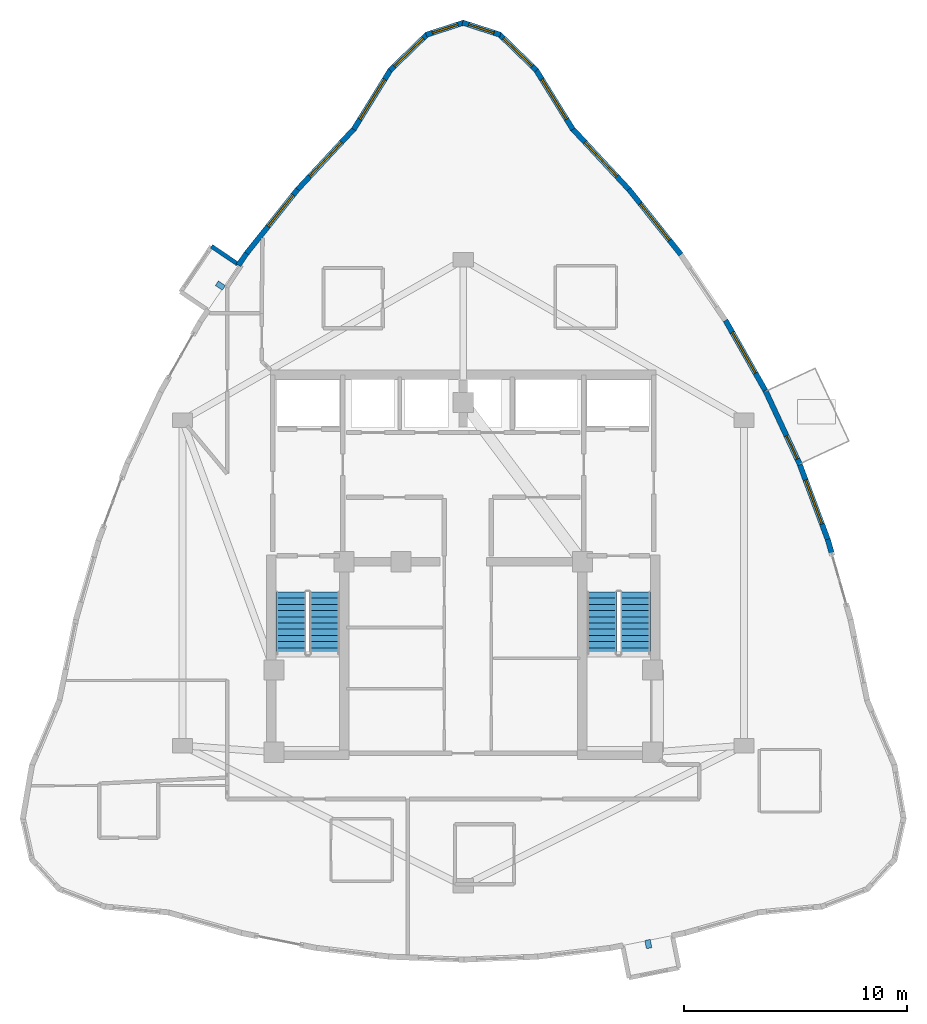
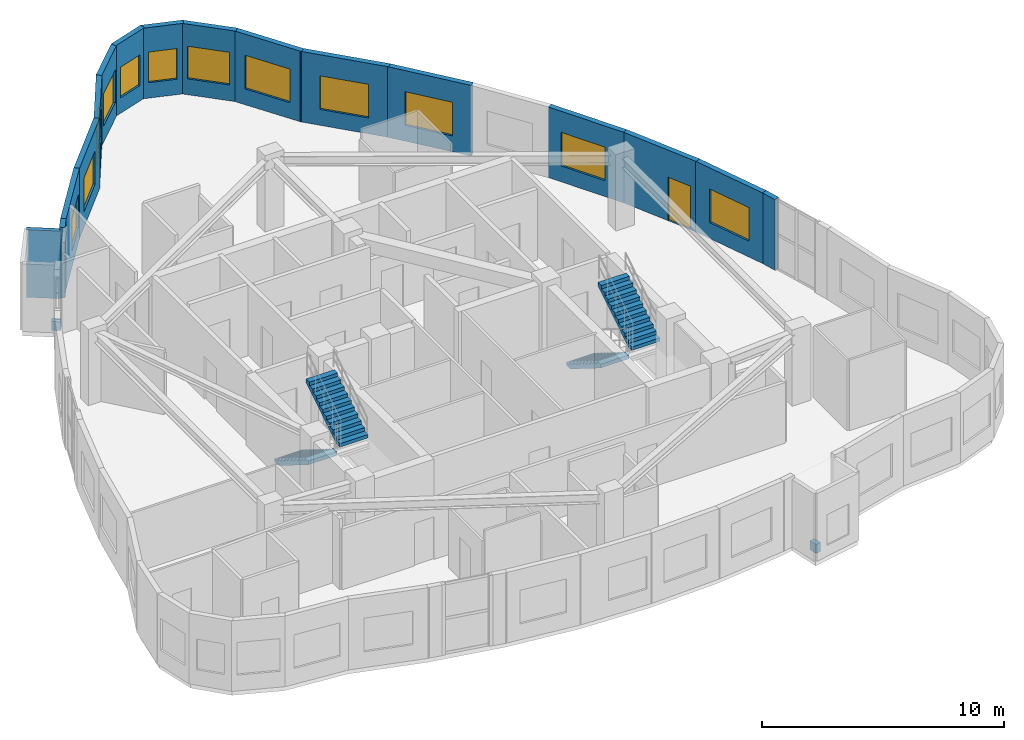
# One storey, part 15 of 16: 16 walls, 12 windows, 4 stair flights, 2 discrete accessories, 1 door, 13 openings, 2 elements without a shape of their own.
"""IFC4 building model written with IfcOpenShell, lengths in metres."""

from ifc_helpers import new_model, si_unit, direction, frame, frame_2d, origin, origin_2d, place, context, subcontext, project, spatial, polyline, rectangle, outline, extrude, material, layer, layer_set, type_object, element, fill, aggregate, save


model = new_model("IFC4")

# Units and contexts
model_context = context("Model", 3, precision=1e-05, world=origin(), true_north=direction((0.0, 1.0)))
body_context = subcontext(model_context, "Body", "Model", "MODEL_VIEW")
ifc_project = project(units=[si_unit("LENGTHUNIT", "METRE"), si_unit("AREAUNIT", "SQUARE_METRE"), si_unit("VOLUMEUNIT", "CUBIC_METRE"), si_unit("PLANEANGLEUNIT", "RADIAN"), si_unit("MASSUNIT", "GRAM", prefix="KILO")], contexts=[model_context])

# Site, building, storey
site_placement = place(None, origin())
site = spatial("IfcSite", under=ifc_project, at=site_placement, CompositionType="ELEMENT")
building_placement = place(site_placement, origin())
building = spatial("IfcBuilding", under=site, at=building_placement, Name="Miruveldt Soraemaru", CompositionType="ELEMENT")
storey_placement = place(building_placement, frame((0.0, 0.0, 271.25)))
storey = spatial("IfcBuildingStorey", under=building, at=storey_placement, Name="L74", CompositionType="ELEMENT", Elevation=271.25)

# Wall
ifc_material_1 = material(Name="White powder-coated aluminium EN AW-6060 T6", Category="aluminium")
ifc_layer_1 = layer(ifc_material_1, 0.18994140625, Name="White powder-coated aluminium EN AW-6060 T6", Category="aluminium")
ifc_layer_set_1 = layer_set([ifc_layer_1], Name="White powder-coated aluminium EN AW-6060 T6")
wall_type_1 = type_object("IfcWallType", Name="WALL-BAY-ALU190", PredefinedType="SOLIDWALL", material=ifc_layer_set_1)
wall_1_placement = place(storey_placement, frame((33.87841796875, 57.41064453125, 0.0), z_axis=(0.0, 0.0, 1.0), x_axis=(-0.827862228344, 0.560931485016, 0.0)))
element("IfcWall", 1, at=wall_1_placement, inside=storey, type_object=wall_type_1, Name="L74 Bay Window Side Cheek 1L", PredefinedType="SOLIDWALL", context=body_context, shape_type="SweptSolid", body=[
    extrude(rectangle(XDim=1.425048828125, YDim=0.18994140625, at=frame_2d((0.71240234375, 0.0))), origin(), (0.0, 0.0, 1.0), 3.4150390625),
])

# Wall, opening, window
ifc_material_2 = material(Name="Precast concrete C45/55 (45 MPa)", Category="concrete")
ifc_layer_2 = layer(ifc_material_2, 0.239990234375, Name="Precast concrete C45/55 (45 MPa)", Category="concrete")
ifc_layer_set_2 = layer_set([ifc_layer_2], Name="Precast concrete C45/55 (45 MPa)")
wall_type_2 = type_object("IfcWallType", Name="WALL-EXT-PC240", PredefinedType="SOLIDWALL", material=ifc_layer_set_2)
wall_2_placement = place(storey_placement, frame((48.918212890625, 63.45703125, 0.0), z_axis=(0.0, 0.0, 1.0), x_axis=(-0.526073963415, 0.850438819091, 0.0)))
wall_2 = element("IfcWall", 2, at=wall_2_placement, inside=storey, type_object=wall_type_2, Name="L74 Precast Concrete Facade Wall 1", PredefinedType="SOLIDWALL", context=body_context, shape_type="SweptSolid", body=[
    extrude(rectangle(XDim=3.1748046875, YDim=0.239990234375, at=frame_2d((1.58740234375, 0.0))), origin(), (0.0, 0.0, 1.0), 3.56494140625),
])
opening_1_placement = place(wall_2_placement, frame((0.5380859375, 0.0, 0.800048828125)))
opening_1 = element("IfcOpeningElement", 3, at=opening_1_placement, cuts=wall_2, Name="Opening WN-1", PredefinedType="OPENING", context=body_context, shape_type="SweptSolid", body=[
    extrude(rectangle(XDim=2.10009765625, YDim=1.699951171875, at=frame_2d((1.050048828125, 0.85009765625))), frame((0.0, 0.1298828125, 0.0), z_axis=(0.0, -1.0, 0.0), x_axis=(1.0, 0.0, 0.0)), (0.0, 0.0, 1.0), 0.260009765625),
])
ifc_material_3 = material(Name="Triple low-e insulated glazing", Category="glass")
window_type_1 = type_object("IfcWindowType", Name="WIN-PUNCH-2100x1700", PartitioningType="SINGLE_PANEL", PredefinedType="WINDOW", material=ifc_material_3)
window_1_placement = place(opening_1_placement, origin())
window_1 = element("IfcWindow", 4, at=window_1_placement, inside=storey, type_object=window_type_1, Name="L74 Punched Triple-Glazed Window 01.1", OverallHeight=1.699951171875, OverallWidth=2.10009765625, PartitioningType="SINGLE_PANEL", PredefinedType="WINDOW", context=body_context, shape_type="SweptSolid", body=[
    extrude(rectangle(XDim=2.10009765625, YDim=1.699951171875, at=frame_2d((1.050048828125, 0.85009765625))), frame((0.0, 0.030029296875, 0.0), z_axis=(0.0, -1.0, 0.0), x_axis=(1.0, 0.0, 0.0)), (0.0, 0.0, 1.0), 0.06005859375),
])
fill(opening_1, window_1)

wall_3_placement = place(storey_placement, frame((47.29150390625, 66.102783203125, 0.0), z_axis=(0.0, 0.0, 1.0), x_axis=(-0.717747457779, 0.696303516329, 0.0)))
wall_3 = element("IfcWall", 5, at=wall_3_placement, inside=storey, type_object=wall_type_2, Name="L74 Precast Concrete Facade Wall 2", PredefinedType="SOLIDWALL", context=body_context, shape_type="SweptSolid", body=[
    extrude(rectangle(XDim=2.34521484375, YDim=0.239990234375, at=frame_2d((1.172607421875, 0.0))), origin(), (0.0, 0.0, 1.0), 3.56494140625),
])
opening_2_placement = place(wall_3_placement, frame((0.27294921875, 0.0, 0.800048828125)))
opening_2 = element("IfcOpeningElement", 6, at=opening_2_placement, cuts=wall_3, Name="Opening WN-2", PredefinedType="OPENING", context=body_context, shape_type="SweptSolid", body=[
    extrude(rectangle(XDim=1.800048828125, YDim=1.64990234375, at=frame_2d((0.89990234375, 0.824951171875))), frame((0.0, 0.1298828125, 0.0), z_axis=(0.0, -1.0, 0.0), x_axis=(1.0, 0.0, 0.0)), (0.0, 0.0, 1.0), 0.260009765625),
])
window_type_2 = type_object("IfcWindowType", Name="WIN-PUNCH-1800x1650", PartitioningType="SINGLE_PANEL", PredefinedType="WINDOW", material=ifc_material_3)
window_2_placement = place(opening_2_placement, origin())
window_2 = element("IfcWindow", 7, at=window_2_placement, inside=storey, type_object=window_type_2, Name="L74 Punched Triple-Glazed Window 02.1", OverallHeight=1.64990234375, OverallWidth=1.800048828125, PartitioningType="SINGLE_PANEL", PredefinedType="WINDOW", context=body_context, shape_type="SweptSolid", body=[
    extrude(rectangle(XDim=1.800048828125, YDim=1.64990234375, at=frame_2d((0.89990234375, 0.824951171875))), frame((0.0, 0.030029296875, 0.0), z_axis=(0.0, -1.0, 0.0), x_axis=(1.0, 0.0, 0.0)), (0.0, 0.0, 1.0), 0.06005859375),
])
fill(opening_2, window_2)

wall_4_placement = place(storey_placement, frame((45.66650390625, 67.70068359375, 0.0), z_axis=(0.0, 0.0, 1.0), x_axis=(-0.951501011605, 0.307645615789, 0.0)))
wall_4 = element("IfcWall", 8, at=wall_4_placement, inside=storey, type_object=wall_type_2, Name="L74 Precast Concrete Facade Wall 3", PredefinedType="SOLIDWALL", context=body_context, shape_type="SweptSolid", body=[
    extrude(rectangle(XDim=1.786376953125, YDim=0.239990234375, at=frame_2d((0.89306640625, 0.0))), origin(), (0.0, 0.0, 1.0), 3.56494140625),
])
opening_3_placement = place(wall_4_placement, frame((0.29296875, 0.0, 0.780029296875)))
opening_3 = element("IfcOpeningElement", 9, at=opening_3_placement, cuts=wall_4, Name="Opening WN-4", PredefinedType="OPENING", context=body_context, shape_type="SweptSolid", body=[
    extrude(rectangle(XDim=1.199951171875, YDim=1.550048828125, at=frame_2d((0.60009765625, 0.77490234375))), frame((0.0, 0.1298828125, 0.0), z_axis=(0.0, -1.0, 0.0), x_axis=(1.0, 0.0, 0.0)), (0.0, 0.0, 1.0), 0.260009765625),
])
window_type_3 = type_object("IfcWindowType", Name="WIN-PUNCH-1200x1550", PartitioningType="SINGLE_PANEL", PredefinedType="WINDOW", material=ifc_material_3)
window_3_placement = place(opening_3_placement, origin())
window_3 = element("IfcWindow", 10, at=window_3_placement, inside=storey, type_object=window_type_3, Name="L74 Punched Triple-Glazed Window 03.1", OverallHeight=1.550048828125, OverallWidth=1.199951171875, PartitioningType="SINGLE_PANEL", PredefinedType="WINDOW", context=body_context, shape_type="SweptSolid", body=[
    extrude(rectangle(XDim=1.199951171875, YDim=1.550048828125, at=frame_2d((0.60009765625, 0.77490234375))), frame((0.0, 0.030029296875, 0.0), z_axis=(0.0, -1.0, 0.0), x_axis=(1.0, 0.0, 0.0)), (0.0, 0.0, 1.0), 0.06005859375),
])
fill(opening_3, window_3)

wall_5_placement = place(storey_placement, frame((44.033203125, 68.250244140625, 0.0), z_axis=(0.0, 0.0, 1.0), x_axis=(-0.951501011605, -0.307645615789, 0.0)))
wall_5 = element("IfcWall", 11, at=wall_5_placement, inside=storey, type_object=wall_type_2, Name="L74 Precast Concrete Facade Wall 4", PredefinedType="SOLIDWALL", context=body_context, shape_type="SweptSolid", body=[
    extrude(rectangle(XDim=1.786376953125, YDim=0.239990234375, at=frame_2d((0.89306640625, 0.0))), origin(), (0.0, 0.0, 1.0), 3.56494140625),
])
opening_4_placement = place(wall_5_placement, frame((0.29296875, 0.0, 0.780029296875)))
opening_4 = element("IfcOpeningElement", 12, at=opening_4_placement, cuts=wall_5, Name="Opening WN-4", PredefinedType="OPENING", context=body_context, shape_type="SweptSolid", body=[
    extrude(rectangle(XDim=1.199951171875, YDim=1.550048828125, at=frame_2d((0.60009765625, 0.77490234375))), frame((0.0, 0.1298828125, 0.0), z_axis=(0.0, -1.0, 0.0), x_axis=(1.0, 0.0, 0.0)), (0.0, 0.0, 1.0), 0.260009765625),
])
window_4_placement = place(opening_4_placement, origin())
window_4 = element("IfcWindow", 13, at=window_4_placement, inside=storey, type_object=window_type_3, Name="L74 Punched Triple-Glazed Window 04.1", OverallHeight=1.550048828125, OverallWidth=1.199951171875, PartitioningType="SINGLE_PANEL", PredefinedType="WINDOW", context=body_context, shape_type="SweptSolid", body=[
    extrude(rectangle(XDim=1.199951171875, YDim=1.550048828125, at=frame_2d((0.60009765625, 0.77490234375))), frame((0.0, 0.030029296875, 0.0), z_axis=(0.0, -1.0, 0.0), x_axis=(1.0, 0.0, 0.0)), (0.0, 0.0, 1.0), 0.06005859375),
])
fill(opening_4, window_4)

wall_6_placement = place(storey_placement, frame((42.391845703125, 67.73583984375, 0.0), z_axis=(0.0, 0.0, 1.0), x_axis=(-0.717747457779, -0.696303516329, 0.0)))
wall_6 = element("IfcWall", 14, at=wall_6_placement, inside=storey, type_object=wall_type_2, Name="L74 Precast Concrete Facade Wall 5", PredefinedType="SOLIDWALL", context=body_context, shape_type="SweptSolid", body=[
    extrude(rectangle(XDim=2.34521484375, YDim=0.239990234375, at=frame_2d((1.172607421875, 0.0))), origin(), (0.0, 0.0, 1.0), 3.56494140625),
])
opening_5_placement = place(wall_6_placement, frame((0.27294921875, 0.0, 0.800048828125)))
opening_5 = element("IfcOpeningElement", 15, at=opening_5_placement, cuts=wall_6, Name="Opening WN-2", PredefinedType="OPENING", context=body_context, shape_type="SweptSolid", body=[
    extrude(rectangle(XDim=1.800048828125, YDim=1.64990234375, at=frame_2d((0.89990234375, 0.824951171875))), frame((0.0, 0.1298828125, 0.0), z_axis=(0.0, -1.0, 0.0), x_axis=(1.0, 0.0, 0.0)), (0.0, 0.0, 1.0), 0.260009765625),
])
window_5_placement = place(opening_5_placement, origin())
window_5 = element("IfcWindow", 16, at=window_5_placement, inside=storey, type_object=window_type_2, Name="L74 Punched Triple-Glazed Window 05.1", OverallHeight=1.64990234375, OverallWidth=1.800048828125, PartitioningType="SINGLE_PANEL", PredefinedType="WINDOW", context=body_context, shape_type="SweptSolid", body=[
    extrude(rectangle(XDim=1.800048828125, YDim=1.64990234375, at=frame_2d((0.89990234375, 0.824951171875))), frame((0.0, 0.030029296875, 0.0), z_axis=(0.0, -1.0, 0.0), x_axis=(1.0, 0.0, 0.0)), (0.0, 0.0, 1.0), 0.06005859375),
])
fill(opening_5, window_5)

wall_7_placement = place(storey_placement, frame((40.751953125, 66.156982421875, 0.0), z_axis=(0.0, 0.0, 1.0), x_axis=(-0.526073963415, -0.850438819091, 0.0)))
wall_7 = element("IfcWall", 17, at=wall_7_placement, inside=storey, type_object=wall_type_2, Name="L74 Precast Concrete Facade Wall 6", PredefinedType="SOLIDWALL", context=body_context, shape_type="SweptSolid", body=[
    extrude(rectangle(XDim=3.1748046875, YDim=0.239990234375, at=frame_2d((1.58740234375, 0.0))), origin(), (0.0, 0.0, 1.0), 3.56494140625),
])
opening_6_placement = place(wall_7_placement, frame((0.5380859375, 0.0, 0.800048828125)))
opening_6 = element("IfcOpeningElement", 18, at=opening_6_placement, cuts=wall_7, Name="Opening WN-1", PredefinedType="OPENING", context=body_context, shape_type="SweptSolid", body=[
    extrude(rectangle(XDim=2.10009765625, YDim=1.699951171875, at=frame_2d((1.050048828125, 0.85009765625))), frame((0.0, 0.1298828125, 0.0), z_axis=(0.0, -1.0, 0.0), x_axis=(1.0, 0.0, 0.0)), (0.0, 0.0, 1.0), 0.260009765625),
])
window_6_placement = place(opening_6_placement, origin())
window_6 = element("IfcWindow", 19, at=window_6_placement, inside=storey, type_object=window_type_1, Name="L74 Punched Triple-Glazed Window 06.1", OverallHeight=1.699951171875, OverallWidth=2.10009765625, PartitioningType="SINGLE_PANEL", PredefinedType="WINDOW", context=body_context, shape_type="SweptSolid", body=[
    extrude(rectangle(XDim=2.10009765625, YDim=1.699951171875, at=frame_2d((1.050048828125, 0.85009765625))), frame((0.0, 0.030029296875, 0.0), z_axis=(0.0, -1.0, 0.0), x_axis=(1.0, 0.0, 0.0)), (0.0, 0.0, 1.0), 0.06005859375),
])
fill(opening_6, window_6)

wall_8_placement = place(storey_placement, frame((39.1240234375, 63.512451171875, 0.0), z_axis=(0.0, 0.0, 1.0), x_axis=(-0.680879997153, -0.73239499553, 0.0)))
wall_8 = element("IfcWall", 20, at=wall_8_placement, inside=storey, type_object=wall_type_2, Name="L74 Precast Concrete Facade Wall 7", PredefinedType="SOLIDWALL", context=body_context, shape_type="SweptSolid", body=[
    extrude(rectangle(XDim=3.81982421875, YDim=0.239990234375, at=frame_2d((1.909912109375, 0.0))), origin(), (0.0, 0.0, 1.0), 3.56494140625),
])
opening_7_placement = place(wall_8_placement, frame((0.860107421875, 0.0, 0.800048828125)))
opening_7 = element("IfcOpeningElement", 21, at=opening_7_placement, cuts=wall_8, Name="Opening WN-1", PredefinedType="OPENING", context=body_context, shape_type="SweptSolid", body=[
    extrude(rectangle(XDim=2.10009765625, YDim=1.699951171875, at=frame_2d((1.050048828125, 0.85009765625))), frame((0.0, 0.1298828125, 0.0), z_axis=(0.0, -1.0, 0.0), x_axis=(1.0, 0.0, 0.0)), (0.0, 0.0, 1.0), 0.260009765625),
])
window_7_placement = place(opening_7_placement, origin())
window_7 = element("IfcWindow", 22, at=window_7_placement, inside=storey, type_object=window_type_1, Name="L74 Punched Triple-Glazed Window 07.1", OverallHeight=1.699951171875, OverallWidth=2.10009765625, PartitioningType="SINGLE_PANEL", PredefinedType="WINDOW", context=body_context, shape_type="SweptSolid", body=[
    extrude(rectangle(XDim=2.10009765625, YDim=1.699951171875, at=frame_2d((1.050048828125, 0.85009765625))), frame((0.0, 0.030029296875, 0.0), z_axis=(0.0, -1.0, 0.0), x_axis=(1.0, 0.0, 0.0)), (0.0, 0.0, 1.0), 0.06005859375),
])
fill(opening_7, window_7)

wall_9_placement = place(storey_placement, frame((36.568603515625, 60.767822265625, 0.0), z_axis=(0.0, 0.0, 1.0), x_axis=(-0.62359159324, -0.781750295709, 0.0)))
wall_9 = element("IfcWall", 23, at=wall_9_placement, inside=storey, type_object=wall_type_2, Name="L74 Precast Concrete Facade Wall 8", PredefinedType="SOLIDWALL", context=body_context, shape_type="SweptSolid", body=[
    extrude(rectangle(XDim=3.752685546875, YDim=0.239990234375, at=frame_2d((1.87646484375, 0.0))), origin(), (0.0, 0.0, 1.0), 3.56494140625),
])
opening_8_placement = place(wall_9_placement, frame((0.327880859375, 0.0, 0.800048828125)))
opening_8 = element("IfcOpeningElement", 24, at=opening_8_placement, cuts=wall_9, Name="Opening WN-2", PredefinedType="OPENING", context=body_context, shape_type="SweptSolid", body=[
    extrude(rectangle(XDim=1.800048828125, YDim=1.64990234375, at=frame_2d((0.89990234375, 0.824951171875))), frame((0.0, 0.1298828125, 0.0), z_axis=(0.0, -1.0, 0.0), x_axis=(1.0, 0.0, 0.0)), (0.0, 0.0, 1.0), 0.260009765625),
])
window_8_placement = place(opening_8_placement, origin())
window_8 = element("IfcWindow", 25, at=window_8_placement, inside=storey, type_object=window_type_2, Name="L74 Punched Triple-Glazed Window 08.1", OverallHeight=1.64990234375, OverallWidth=1.800048828125, PartitioningType="SINGLE_PANEL", PredefinedType="WINDOW", context=body_context, shape_type="SweptSolid", body=[
    extrude(rectangle(XDim=1.800048828125, YDim=1.64990234375, at=frame_2d((0.89990234375, 0.824951171875))), frame((0.0, 0.030029296875, 0.0), z_axis=(0.0, -1.0, 0.0), x_axis=(1.0, 0.0, 0.0)), (0.0, 0.0, 1.0), 0.06005859375),
])
fill(opening_8, window_8)

# Walls
wall_10_placement = place(storey_placement, frame((34.27001953125, 57.890625, 0.0), z_axis=(0.0, 0.0, 1.0), x_axis=(-0.560781389169, -0.827963908369, 0.0)))
element("IfcWall", 26, at=wall_10_placement, inside=storey, type_object=wall_type_2, Name="L74 Precast Pier Wall 9A", PredefinedType="SOLIDWALL", context=body_context, shape_type="SweptSolid", body=[
    extrude(rectangle(XDim=0.64697265625, YDim=0.239990234375, at=frame_2d((0.323486328125, 0.0))), origin(), (0.0, 0.0, 1.0), 3.56494140625),
])
wall_11_placement = place(storey_placement, frame((60.552001953125, 44.37890625, 0.0), z_axis=(0.0, 0.0, 1.0), x_axis=(-0.27476689047, 0.961510871442, 0.0)))
element("IfcWall", 27, at=wall_11_placement, inside=storey, type_object=wall_type_2, Name="L74 Precast Pier Right 36", PredefinedType="SOLIDWALL", context=body_context, shape_type="SweptSolid", body=[
    extrude(rectangle(XDim=0.70458984375, YDim=0.239990234375, at=frame_2d((0.352294921875, 0.0))), origin(), (0.0, 0.0, 1.0), 3.56494140625),
])

# Wall, opening, window
wall_12_placement = place(storey_placement, frame((60.380126953125, 44.989990234375, 0.0), z_axis=(0.0, 0.0, 1.0), x_axis=(-0.349051190463, 0.93710365832, 0.0)))
wall_12 = element("IfcWall", 28, at=wall_12_placement, inside=storey, type_object=wall_type_2, Name="L74 Precast Concrete Facade Wall 37", PredefinedType="SOLIDWALL", context=body_context, shape_type="SweptSolid", body=[
    extrude(rectangle(XDim=3.70703125, YDim=0.239990234375, at=frame_2d((1.853515625, 0.0))), origin(), (0.0, 0.0, 1.0), 3.56494140625),
])
opening_9_placement = place(wall_12_placement, frame((0.803955078125, 0.0, 0.800048828125)))
opening_9 = element("IfcOpeningElement", 29, at=opening_9_placement, cuts=wall_12, Name="Opening WN-1", PredefinedType="OPENING", context=body_context, shape_type="SweptSolid", body=[
    extrude(rectangle(XDim=2.10009765625, YDim=1.699951171875, at=frame_2d((1.050048828125, 0.85009765625))), frame((0.0, 0.1298828125, 0.0), z_axis=(0.0, -1.0, 0.0), x_axis=(1.0, 0.0, 0.0)), (0.0, 0.0, 1.0), 0.260009765625),
])
window_9_placement = place(opening_9_placement, origin())
window_9 = element("IfcWindow", 30, at=window_9_placement, inside=storey, type_object=window_type_1, Name="L74 Punched Triple-Glazed Window 37.1", OverallHeight=1.699951171875, OverallWidth=2.10009765625, PartitioningType="SINGLE_PANEL", PredefinedType="WINDOW", context=body_context, shape_type="SweptSolid", body=[
    extrude(rectangle(XDim=2.10009765625, YDim=1.699951171875, at=frame_2d((1.050048828125, 0.85009765625))), frame((0.0, 0.030029296875, 0.0), z_axis=(0.0, -1.0, 0.0), x_axis=(1.0, 0.0, 0.0)), (0.0, 0.0, 1.0), 0.06005859375),
])
fill(opening_9, window_9)

# Wall, opening, door
wall_13_placement = place(storey_placement, frame((59.11328125, 48.3994140625, 0.0), z_axis=(0.0, 0.0, 1.0), x_axis=(-0.422308491158, 0.906452170992, 0.0)))
wall_13 = element("IfcWall", 31, at=wall_13_placement, inside=storey, type_object=wall_type_2, Name="L74 Precast Concrete Facade Wall 38", PredefinedType="SOLIDWALL", context=body_context, shape_type="SweptSolid", body=[
    extrude(rectangle(XDim=3.68359375, YDim=0.239990234375, at=frame_2d((1.841796875, 0.0))), origin(), (0.0, 0.0, 1.0), 3.56494140625),
])
opening_10_placement = place(wall_13_placement, frame((0.287109375, 0.0, 0.0)))
opening_10 = element("IfcOpeningElement", 32, at=opening_10_placement, cuts=wall_13, Name="Opening TD-2", PredefinedType="OPENING", context=body_context, shape_type="SweptSolid", body=[
    extrude(rectangle(XDim=1.14990234375, YDim=2.199951171875, at=frame_2d((0.574951171875, 1.10009765625))), frame((0.0, 0.1298828125, 0.0), z_axis=(0.0, -1.0, 0.0), x_axis=(1.0, 0.0, 0.0)), (0.0, 0.0, 1.0), 0.260009765625),
])
ifc_material_4 = material(Name="Anodised aluminium EN AW-6063 T6", Category="aluminium")
door_type = type_object("IfcDoorType", Name="DOOR-SG-1150", OperationType="NOTDEFINED", PredefinedType="DOOR", material=ifc_material_4)
door_placement = place(opening_10_placement, frame((1.14990234375, 0.0, 0.0), z_axis=(0.0, 0.0, 1.0), x_axis=(-1.0, 0.0, 0.0)))
door = element("IfcDoor", 33, at=door_placement, inside=storey, type_object=door_type, Name="L74 Terrace Access Glazed Door 38", OperationType="SINGLE_SWING_LEFT", OverallHeight=2.199951171875, OverallWidth=1.14990234375, PredefinedType="DOOR", context=body_context, shape_type="SweptSolid", body=[
    extrude(rectangle(XDim=1.14990234375, YDim=2.199951171875, at=frame_2d((0.574951171875, 1.10009765625))), frame((0.0, 0.02490234375, 0.0), z_axis=(0.0, -1.0, 0.0), x_axis=(1.0, 0.0, 0.0)), (0.0, 0.0, 1.0), 0.050048828125),
])
fill(opening_10, door)

# Wall, opening, window
wall_14_placement = place(storey_placement, frame((57.589599609375, 51.676513671875, 0.0), z_axis=(0.0, 0.0, 1.0), x_axis=(-0.493338608788, 0.869837350933, 0.0)))
wall_14 = element("IfcWall", 34, at=wall_14_placement, inside=storey, type_object=wall_type_2, Name="L74 Precast Concrete Facade Wall 39", PredefinedType="SOLIDWALL", context=body_context, shape_type="SweptSolid", body=[
    extrude(rectangle(XDim=3.683837890625, YDim=0.239990234375, at=frame_2d((1.841796875, 0.0))), origin(), (0.0, 0.0, 1.0), 3.56494140625),
])
opening_11_placement = place(wall_14_placement, frame((0.966064453125, 0.0, 0.800048828125)))
opening_11 = element("IfcOpeningElement", 35, at=opening_11_placement, cuts=wall_14, Name="Opening WN-1", PredefinedType="OPENING", context=body_context, shape_type="SweptSolid", body=[
    extrude(rectangle(XDim=2.10009765625, YDim=1.699951171875, at=frame_2d((1.050048828125, 0.85009765625))), frame((0.0, 0.1298828125, 0.0), z_axis=(0.0, -1.0, 0.0), x_axis=(1.0, 0.0, 0.0)), (0.0, 0.0, 1.0), 0.260009765625),
])
window_10_placement = place(opening_11_placement, origin())
window_10 = element("IfcWindow", 36, at=window_10_placement, inside=storey, type_object=window_type_1, Name="L74 Punched Triple-Glazed Window 39.1", OverallHeight=1.699951171875, OverallWidth=2.10009765625, PartitioningType="SINGLE_PANEL", PredefinedType="WINDOW", context=body_context, shape_type="SweptSolid", body=[
    extrude(rectangle(XDim=2.10009765625, YDim=1.699951171875, at=frame_2d((1.050048828125, 0.85009765625))), frame((0.0, 0.030029296875, 0.0), z_axis=(0.0, -1.0, 0.0), x_axis=(1.0, 0.0, 0.0)), (0.0, 0.0, 1.0), 0.06005859375),
])
fill(opening_11, window_10)

wall_15_placement = place(storey_placement, frame((53.771484375, 57.834228515625, 0.0), z_axis=(0.0, 0.0, 1.0), x_axis=(-0.62359159324, 0.781750295709, 0.0)))
wall_15 = element("IfcWall", 37, at=wall_15_placement, inside=storey, type_object=wall_type_2, Name="L74 Precast Concrete Facade Wall 41", PredefinedType="SOLIDWALL", context=body_context, shape_type="SweptSolid", body=[
    extrude(rectangle(XDim=3.752685546875, YDim=0.239990234375, at=frame_2d((1.87646484375, 0.0))), origin(), (0.0, 0.0, 1.0), 3.56494140625),
])
opening_12_placement = place(wall_15_placement, frame((0.826904296875, 0.0, 0.800048828125)))
opening_12 = element("IfcOpeningElement", 38, at=opening_12_placement, cuts=wall_15, Name="Opening WN-1", PredefinedType="OPENING", context=body_context, shape_type="SweptSolid", body=[
    extrude(rectangle(XDim=2.10009765625, YDim=1.699951171875, at=frame_2d((1.050048828125, 0.85009765625))), frame((0.0, 0.1298828125, 0.0), z_axis=(0.0, -1.0, 0.0), x_axis=(1.0, 0.0, 0.0)), (0.0, 0.0, 1.0), 0.260009765625),
])
window_11_placement = place(opening_12_placement, origin())
window_11 = element("IfcWindow", 39, at=window_11_placement, inside=storey, type_object=window_type_1, Name="L74 Punched Triple-Glazed Window 41.1", OverallHeight=1.699951171875, OverallWidth=2.10009765625, PartitioningType="SINGLE_PANEL", PredefinedType="WINDOW", context=body_context, shape_type="SweptSolid", body=[
    extrude(rectangle(XDim=2.10009765625, YDim=1.699951171875, at=frame_2d((1.050048828125, 0.85009765625))), frame((0.0, 0.030029296875, 0.0), z_axis=(0.0, -1.0, 0.0), x_axis=(1.0, 0.0, 0.0)), (0.0, 0.0, 1.0), 0.06005859375),
])
fill(opening_12, window_11)

wall_16_placement = place(storey_placement, frame((51.476806640625, 60.71484375, 0.0), z_axis=(0.0, 0.0, 1.0), x_axis=(-0.680879997153, 0.73239499553, 0.0)))
wall_16 = element("IfcWall", 40, at=wall_16_placement, inside=storey, type_object=wall_type_2, Name="L74 Precast Concrete Facade Wall 42", PredefinedType="SOLIDWALL", context=body_context, shape_type="SweptSolid", body=[
    extrude(rectangle(XDim=3.81982421875, YDim=0.239990234375, at=frame_2d((1.909912109375, 0.0))), origin(), (0.0, 0.0, 1.0), 3.56494140625),
])
opening_13_placement = place(wall_16_placement, frame((0.860107421875, 0.0, 0.800048828125)))
opening_13 = element("IfcOpeningElement", 41, at=opening_13_placement, cuts=wall_16, Name="Opening WN-1", PredefinedType="OPENING", context=body_context, shape_type="SweptSolid", body=[
    extrude(rectangle(XDim=2.10009765625, YDim=1.699951171875, at=frame_2d((1.050048828125, 0.85009765625))), frame((0.0, 0.1298828125, 0.0), z_axis=(0.0, -1.0, 0.0), x_axis=(1.0, 0.0, 0.0)), (0.0, 0.0, 1.0), 0.260009765625),
])
window_12_placement = place(opening_13_placement, origin())
window_12 = element("IfcWindow", 42, at=window_12_placement, inside=storey, type_object=window_type_1, Name="L74 Punched Triple-Glazed Window 42.1", OverallHeight=1.699951171875, OverallWidth=2.10009765625, PartitioningType="SINGLE_PANEL", PredefinedType="WINDOW", context=body_context, shape_type="SweptSolid", body=[
    extrude(rectangle(XDim=2.10009765625, YDim=1.699951171875, at=frame_2d((1.050048828125, 0.85009765625))), frame((0.0, 0.030029296875, 0.0), z_axis=(0.0, -1.0, 0.0), x_axis=(1.0, 0.0, 0.0)), (0.0, 0.0, 1.0), 0.06005859375),
])
fill(opening_13, window_12)

# Stair, stair flights
ifc_material_5 = material(Name="Concrete C40/50 (40 MPa)", Category="concrete")
stair_type = type_object("IfcStairType", Name="STAIR-DL-385", PredefinedType="HALF_TURN_STAIR", material=ifc_material_5)
stair_1_placement = place(storey_placement, origin())
stair_1 = element("IfcStair", 43, at=stair_1_placement, inside=storey, type_object=stair_type, Name="L74 Protected Exit Stair ST-1", PredefinedType="HALF_TURN_STAIR")
stair_flight_type = type_object("IfcStairFlightType", Name="SFL-DL-385", PredefinedType="STRAIGHT", material=ifc_material_5)
stair_flight_1_placement = place(storey_placement, frame((36.27490234375, 42.699951171875, 0.0), z_axis=(0.0, 0.0, 1.0), x_axis=(0.0, -1.0, 0.0)))
stair_flight_1 = element("IfcStairFlight", 44, at=stair_flight_1_placement, type_object=stair_flight_type, Name="ST-1 flight 1", NumberOfRisers=11, NumberOfTreads=10, PredefinedType="STRAIGHT", RiserHeight=0.175, TreadLength=0.28, context=body_context, shape_type="SweptSolid", body=[
    extrude(outline(polyline([(0.0, 0.0), (0.0, 0.175048828125), (0.280029296875, 0.175048828125), (0.280029296875, 0.35009765625), (0.56005859375, 0.35009765625), (0.56005859375, 0.52490234375), (0.840087890625, 0.52490234375), (0.840087890625, 0.699951171875), (1.1201171875, 0.699951171875), (1.1201171875, 0.875), (1.39990234375, 0.875), (1.39990234375, 1.050048828125), (1.679931640625, 1.050048828125), (1.679931640625, 1.22509765625), (1.9599609375, 1.22509765625), (1.9599609375, 1.39990234375), (2.239990234375, 1.39990234375), (2.239990234375, 1.574951171875), (2.52001953125, 1.574951171875), (2.52001953125, 1.75), (2.800048828125, 1.75), (2.800048828125, 1.925048828125), (2.800048828125, 1.5615234375), (0.3017578125, 0.0), (0.0, 0.0)])), frame((0.0, 0.675048828125, 0.0), z_axis=(0.0, -1.0, 0.0), x_axis=(1.0, 0.0, 0.0)), (0.0, 0.0, 1.0), 1.35009765625),
])
stair_flight_2_placement = place(storey_placement, frame((37.77490234375, 39.89990234375, 1.925048828125), z_axis=(0.0, 0.0, 1.0), x_axis=(0.0, 1.0, 0.0)))
stair_flight_2 = element("IfcStairFlight", 45, at=stair_flight_2_placement, type_object=stair_flight_type, Name="ST-1 flight 2", NumberOfRisers=11, NumberOfTreads=10, PredefinedType="STRAIGHT", RiserHeight=0.175, TreadLength=0.28, context=body_context, shape_type="SweptSolid", body=[
    extrude(outline(polyline([(0.0, 0.0), (0.0, 0.175048828125), (0.280029296875, 0.175048828125), (0.280029296875, 0.35009765625), (0.56005859375, 0.35009765625), (0.56005859375, 0.52490234375), (0.840087890625, 0.52490234375), (0.840087890625, 0.699951171875), (1.1201171875, 0.699951171875), (1.1201171875, 0.875), (1.39990234375, 0.875), (1.39990234375, 1.050048828125), (1.679931640625, 1.050048828125), (1.679931640625, 1.22509765625), (1.9599609375, 1.22509765625), (1.9599609375, 1.39990234375), (2.239990234375, 1.39990234375), (2.239990234375, 1.574951171875), (2.52001953125, 1.574951171875), (2.52001953125, 1.75), (2.800048828125, 1.75), (2.800048828125, 1.925048828125), (2.800048828125, 1.5615234375), (0.3017578125, 0.0), (0.0, 0.0)])), frame((0.0, 0.675048828125, 0.0), z_axis=(0.0, -1.0, 0.0), x_axis=(1.0, 0.0, 0.0)), (0.0, 0.0, 1.0), 1.35009765625),
])
aggregate(stair_1, [stair_flight_1, stair_flight_2])

stair_2_placement = place(storey_placement, origin())
stair_2 = element("IfcStair", 46, at=stair_2_placement, inside=storey, type_object=stair_type, Name="L74 Protected Exit Stair ST-2", PredefinedType="HALF_TURN_STAIR")
stair_flight_3_placement = place(storey_placement, frame((50.22509765625, 42.699951171875, 0.0), z_axis=(0.0, 0.0, 1.0), x_axis=(0.0, -1.0, 0.0)))
stair_flight_3 = element("IfcStairFlight", 47, at=stair_flight_3_placement, type_object=stair_flight_type, Name="ST-2 flight 1", NumberOfRisers=11, NumberOfTreads=10, PredefinedType="STRAIGHT", RiserHeight=0.175, TreadLength=0.28, context=body_context, shape_type="SweptSolid", body=[
    extrude(outline(polyline([(0.0, 0.0), (0.0, 0.175048828125), (0.280029296875, 0.175048828125), (0.280029296875, 0.35009765625), (0.56005859375, 0.35009765625), (0.56005859375, 0.52490234375), (0.840087890625, 0.52490234375), (0.840087890625, 0.699951171875), (1.1201171875, 0.699951171875), (1.1201171875, 0.875), (1.39990234375, 0.875), (1.39990234375, 1.050048828125), (1.679931640625, 1.050048828125), (1.679931640625, 1.22509765625), (1.9599609375, 1.22509765625), (1.9599609375, 1.39990234375), (2.239990234375, 1.39990234375), (2.239990234375, 1.574951171875), (2.52001953125, 1.574951171875), (2.52001953125, 1.75), (2.800048828125, 1.75), (2.800048828125, 1.925048828125), (2.800048828125, 1.5615234375), (0.3017578125, 0.0), (0.0, 0.0)])), frame((0.0, 0.675048828125, 0.0), z_axis=(0.0, -1.0, 0.0), x_axis=(1.0, 0.0, 0.0)), (0.0, 0.0, 1.0), 1.35009765625),
])
stair_flight_4_placement = place(storey_placement, frame((51.72509765625, 39.89990234375, 1.925048828125), z_axis=(0.0, 0.0, 1.0), x_axis=(0.0, 1.0, 0.0)))
stair_flight_4 = element("IfcStairFlight", 48, at=stair_flight_4_placement, type_object=stair_flight_type, Name="ST-2 flight 2", NumberOfRisers=11, NumberOfTreads=10, PredefinedType="STRAIGHT", RiserHeight=0.175, TreadLength=0.28, context=body_context, shape_type="SweptSolid", body=[
    extrude(outline(polyline([(0.0, 0.0), (0.0, 0.175048828125), (0.280029296875, 0.175048828125), (0.280029296875, 0.35009765625), (0.56005859375, 0.35009765625), (0.56005859375, 0.52490234375), (0.840087890625, 0.52490234375), (0.840087890625, 0.699951171875), (1.1201171875, 0.699951171875), (1.1201171875, 0.875), (1.39990234375, 0.875), (1.39990234375, 1.050048828125), (1.679931640625, 1.050048828125), (1.679931640625, 1.22509765625), (1.9599609375, 1.22509765625), (1.9599609375, 1.39990234375), (2.239990234375, 1.39990234375), (2.239990234375, 1.574951171875), (2.52001953125, 1.574951171875), (2.52001953125, 1.75), (2.800048828125, 1.75), (2.800048828125, 1.925048828125), (2.800048828125, 1.5615234375), (0.3017578125, 0.0), (0.0, 0.0)])), frame((0.0, 0.675048828125, 0.0), z_axis=(0.0, -1.0, 0.0), x_axis=(1.0, 0.0, 0.0)), (0.0, 0.0, 1.0), 1.35009765625),
])
aggregate(stair_2, [stair_flight_3, stair_flight_4])

# Discrete accessories
ifc_material_6 = material(Name="Steel SM355 (355 MPa)", Category="steel")
discrete_accessory_type = type_object("IfcDiscreteAccessoryType", Name="ACC-BAY-BRK", PredefinedType="BRACKET", material=ifc_material_6)
for number, where, z_axis, x_axis, name in (
    (49, (33.097900390625, 56.44580078125, -0.72998046875), (0.0, 0.0, 1.0), (-0.827913531301, 0.560855761037, 0.0), "L74 Bay Window Cantilever Bracket 1"),
    (50, (52.30419921875, 26.8896484375, -0.72998046875), (0.0, 0.0, 1.0), (0.196100176415, -0.980583867301, 0.0), "L74 Bay Window Cantilever Bracket 2"),
):
    element("IfcDiscreteAccessory", number, at=place(storey_placement, frame(where, z_axis=z_axis, x_axis=x_axis)), inside=storey, type_object=discrete_accessory_type, Name=name, PredefinedType="BRACKET", context=body_context, shape_type="SweptSolid", body=[
        extrude(rectangle(XDim=0.3798828125, YDim=0.25, at=origin_2d()), origin(), (0.0, 0.0, 1.0), 0.449951171875),
    ])

save(model, "model.ifc")
